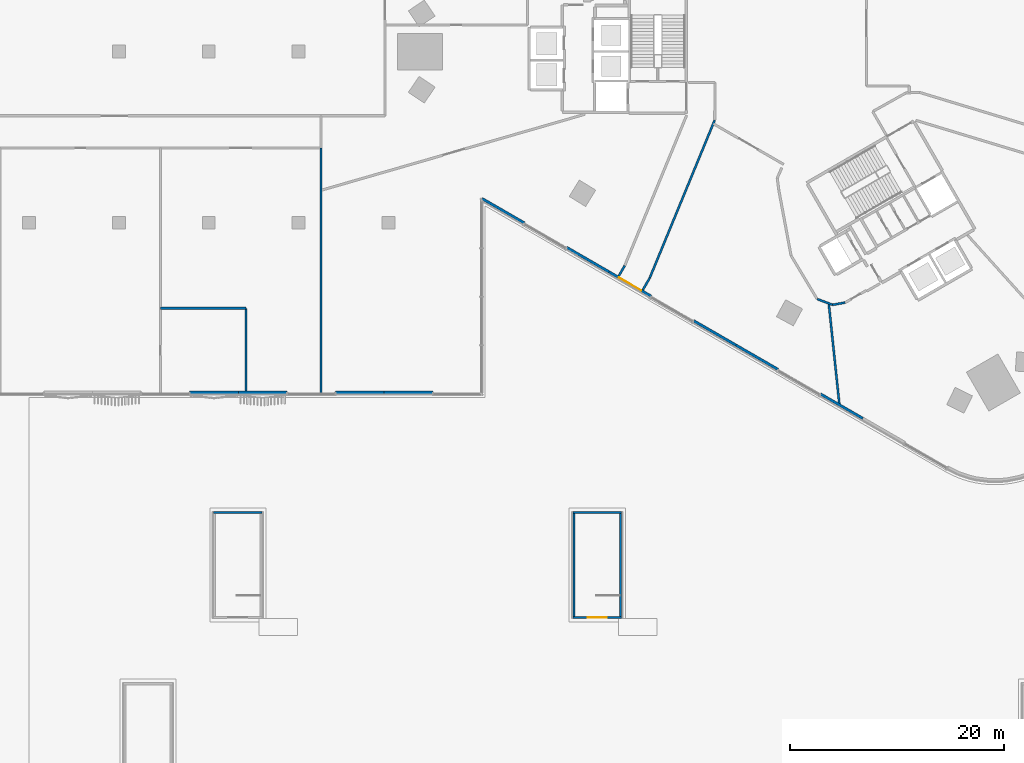
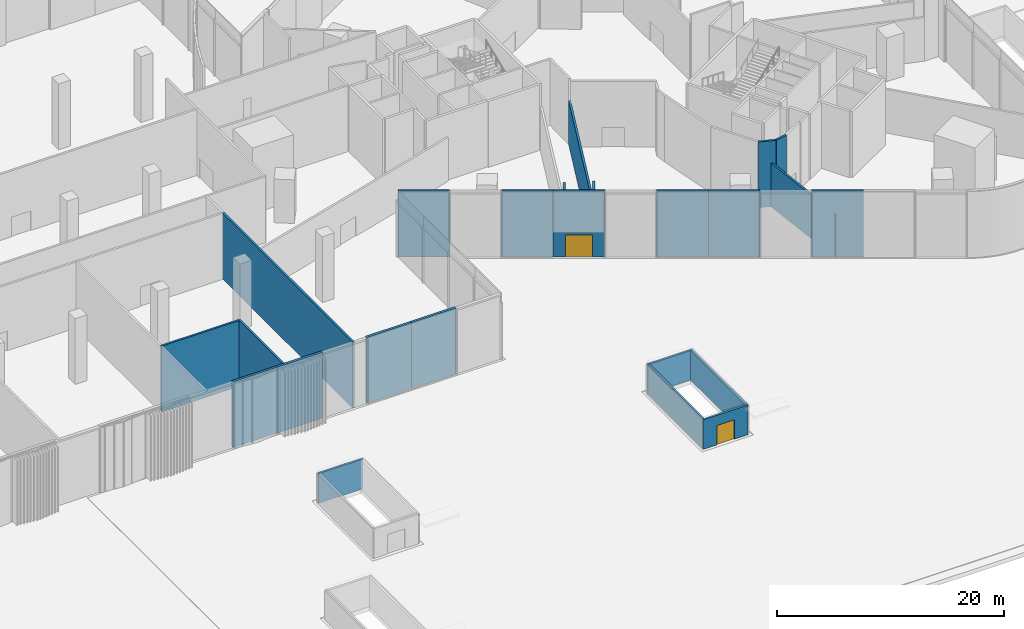
# One storey, part 14 of 41: 24 walls, 2 doors, 2 openings.
"""IFC4 building model written with IfcOpenShell, lengths in metres."""

from ifc_helpers import new_model, si_unit, direction, frame, frame_2d, origin, place, context, subcontext, project, spatial, rectangle, extrude, material, layer, layer_set, type_object, element, fill, save


model = new_model("IFC4")

# Units and contexts
model_context = context("Model", 3, precision=1e-05, world=origin(), true_north=direction((0.0, 1.0)))
body_context = subcontext(model_context, "Body", "Model", "MODEL_VIEW")
ifc_project = project(units=[si_unit("LENGTHUNIT", "METRE"), si_unit("AREAUNIT", "SQUARE_METRE"), si_unit("VOLUMEUNIT", "CUBIC_METRE"), si_unit("PLANEANGLEUNIT", "RADIAN"), si_unit("MASSUNIT", "GRAM", prefix="KILO")], contexts=[model_context])

# Site, building, storey
site_placement = place(None, origin())
site = spatial("IfcSite", under=ifc_project, at=site_placement, CompositionType="ELEMENT")
building_placement = place(site_placement, origin())
building = spatial("IfcBuilding", under=site, at=building_placement, Name="Tamra Quay Hotel Tower", CompositionType="ELEMENT")
storey_placement = place(building_placement, origin())
storey = spatial("IfcBuildingStorey", under=building, at=storey_placement, Name="L00", CompositionType="ELEMENT", Elevation=0.0)

# Walls
ifc_material_1 = material(Name="Concrete M70", Category="concrete")
ifc_layer_1 = layer(ifc_material_1, 0.199951171875)
ifc_layer_set_1 = layer_set([ifc_layer_1], Name="Concrete M70 stair enclosure wall 200")
wall_type_1 = type_object("IfcWallType", Name="Concrete M70 stair enclosure wall 200", PredefinedType="SOLIDWALL", material=ifc_layer_set_1)
wall_1_placement = place(storey_placement, frame((-55.050048828125, -43.10009765625, 0.0), z_axis=(0.0, 0.0, 1.0), x_axis=(1.0, 0.0, 0.0)))
element("IfcWall", 1, at=wall_1_placement, inside=storey, type_object=wall_type_1, Name="SEW", PredefinedType="SOLIDWALL", context=body_context, shape_type="SweptSolid", body=[
    extrude(rectangle(XDim=4.550048828125, YDim=0.199951171875, at=frame_2d((2.27490234375, 0.0))), origin(), (0.0, 0.0, 1.0), 3.199951171875),
])
for number, where, z_axis, x_axis, name in (
    (2, (-21.35009765625, -52.800048828125, 0.0), (0.0, 0.0, 1.0), (0.0, 1.0, 0.0), "SEW"),
    (3, (-17.0, -52.800048828125, 0.0), (0.0, 0.0, 1.0), (0.0, 1.0, 0.0), "SEW"),
):
    element("IfcWall", number, at=place(storey_placement, frame(where, z_axis=z_axis, x_axis=x_axis)), inside=storey, type_object=wall_type_1, Name=name, PredefinedType="SOLIDWALL", context=body_context, shape_type="SweptSolid", body=[
        extrude(rectangle(XDim=9.60009765625, YDim=0.199951171875, at=frame_2d((4.800048828125, 0.0))), origin(), (0.0, 0.0, 1.0), 3.199951171875),
    ])

# Wall, opening, door
wall_2_placement = place(storey_placement, frame((-16.89990234375, -52.89990234375, 0.0), z_axis=(0.0, 0.0, 1.0), x_axis=(-1.0, 0.0, 0.0)))
wall_2 = element("IfcWall", 4, at=wall_2_placement, inside=storey, type_object=wall_type_1, Name="SEW", PredefinedType="SOLIDWALL", context=body_context, shape_type="SweptSolid", body=[
    extrude(rectangle(XDim=4.550048828125, YDim=0.199951171875, at=frame_2d((2.27490234375, 0.0))), origin(), (0.0, 0.0, 1.0), 3.199951171875),
])
opening_1_placement = place(wall_2_placement, frame((1.375, 0.0, 0.0)))
opening_1 = element("IfcOpeningElement", 5, at=opening_1_placement, cuts=wall_2, Name="Opening SD2", PredefinedType="OPENING", context=body_context, shape_type="SweptSolid", body=[
    extrude(rectangle(XDim=1.800048828125, YDim=2.10009765625, at=frame_2d((0.89990234375, 1.050048828125))), frame((0.0, 0.10986328125, 0.0), z_axis=(0.0, -1.0, 0.0), x_axis=(1.0, 0.0, 0.0)), (0.0, 0.0, 1.0), 0.219970703125),
])
ifc_material_2 = material(Name="Stair discharge door 1800 x 2100")
door_type_1 = type_object("IfcDoorType", Name="Stair discharge door 1800 x 2100", OperationType="DOUBLE_DOOR_SINGLE_SWING", PredefinedType="DOOR", material=ifc_material_2)
door_1_placement = place(opening_1_placement, origin())
door_1 = element("IfcDoor", 6, at=door_1_placement, inside=storey, type_object=door_type_1, Name="SD2", OperationType="DOUBLE_DOOR_SINGLE_SWING", OverallHeight=2.10009765625, OverallWidth=1.800048828125, PredefinedType="DOOR", context=body_context, shape_type="SweptSolid", body=[
    extrude(rectangle(XDim=1.800048828125, YDim=2.10009765625, at=frame_2d((0.89990234375, 1.050048828125))), frame((0.0, 0.02490234375, 0.0), z_axis=(0.0, -1.0, 0.0), x_axis=(1.0, 0.0, 0.0)), (0.0, 0.0, 1.0), 0.050048828125),
])
fill(opening_1, door_1)

# Walls
wall_3_placement = place(storey_placement, frame((-21.449951171875, -43.10009765625, 0.0), z_axis=(0.0, 0.0, 1.0), x_axis=(1.0, 0.0, 0.0)))
element("IfcWall", 7, at=wall_3_placement, inside=storey, type_object=wall_type_1, Name="SEW", PredefinedType="SOLIDWALL", context=body_context, shape_type="SweptSolid", body=[
    extrude(rectangle(XDim=4.550048828125, YDim=0.199951171875, at=frame_2d((2.27490234375, 0.0))), origin(), (0.0, 0.0, 1.0), 3.199951171875),
])
ifc_material_3 = material(Name="Blockwork masonry plastered", Category="masonry")
ifc_layer_2 = layer(ifc_material_3, 0.25)
ifc_layer_set_2 = layer_set([ifc_layer_2], Name="EXTERNAL WALL 250")
wall_type_2 = type_object("IfcWallType", Name="EXTERNAL WALL 250", PredefinedType="SOLIDWALL", material=ifc_layer_set_2)
wall_4_placement = place(storey_placement, frame((-25.98291015625, -16.03125, 0.0), z_axis=(0.0, 0.0, 1.0), x_axis=(-0.866023543838, 0.500003221507, 0.0)))
element("IfcWall", 8, at=wall_4_placement, inside=storey, type_object=wall_type_2, Name="EW1", PredefinedType="SOLIDWALL", context=body_context, shape_type="SweptSolid", body=[
    extrude(rectangle(XDim=4.56640625, YDim=0.25, at=frame_2d((2.283203125, 0.0))), origin(), (0.0, 0.0, 1.0), 7.10009765625),
])
wall_5_placement = place(storey_placement, frame((-18.073974609375, -20.59765625, 0.0), z_axis=(0.0, 0.0, 1.0), x_axis=(-0.866010176527, 0.500026373457, 0.0)))
element("IfcWall", 9, at=wall_5_placement, inside=storey, type_object=wall_type_2, Name="EW1", PredefinedType="SOLIDWALL", context=body_context, shape_type="SweptSolid", body=[
    extrude(rectangle(XDim=4.566162109375, YDim=0.25, at=frame_2d((2.283203125, 0.0))), origin(), (0.0, 0.0, 1.0), 7.10009765625),
])

# Wall, opening, door
wall_6_placement = place(storey_placement, frame((-14.119384765625, -22.880859375, 0.0), z_axis=(0.0, 0.0, 1.0), x_axis=(-0.866023543838, 0.500003221507, 0.0)))
wall_6 = element("IfcWall", 10, at=wall_6_placement, inside=storey, type_object=wall_type_2, Name="EW1", PredefinedType="SOLIDWALL", context=body_context, shape_type="SweptSolid", body=[
    extrude(rectangle(XDim=4.56640625, YDim=0.25, at=frame_2d((2.283203125, 0.0))), origin(), (0.0, 0.0, 1.0), 7.10009765625),
])
opening_2_placement = place(wall_6_placement, frame((1.083251953125, 0.0, 0.0)))
opening_2 = element("IfcOpeningElement", 11, at=opening_2_placement, cuts=wall_6, Name="Opening XD1", PredefinedType="OPENING", context=body_context, shape_type="SweptSolid", body=[
    extrude(rectangle(XDim=2.39990234375, YDim=2.39990234375, at=frame_2d((1.199951171875, 1.199951171875))), frame((0.0, 0.135009765625, 0.0), z_axis=(0.0, -1.0, 0.0), x_axis=(1.0, 0.0, 0.0)), (0.0, 0.0, 1.0), 0.27001953125),
])
ifc_material_4 = material(Name="Aluminium door set dark grey", Category="aluminium")
door_type_2 = type_object("IfcDoorType", Name="STAIR DISCHARGE DOOR PAIR 2400X2400", OperationType="DOUBLE_DOOR_DOUBLE_SWING", PredefinedType="DOOR", material=ifc_material_4)
door_2_placement = place(opening_2_placement, origin())
door_2 = element("IfcDoor", 12, at=door_2_placement, inside=storey, type_object=door_type_2, Name="XD1", OperationType="DOUBLE_DOOR_DOUBLE_SWING", OverallHeight=2.39990234375, OverallWidth=2.39990234375, PredefinedType="DOOR", context=body_context, shape_type="SweptSolid", body=[
    extrude(rectangle(XDim=2.39990234375, YDim=2.39990234375, at=frame_2d((1.199951171875, 1.199951171875))), frame((0.0, 0.02490234375, 0.0), z_axis=(0.0, -1.0, 0.0), x_axis=(1.0, 0.0, 0.0)), (0.0, 0.0, 1.0), 0.050048828125),
])
fill(opening_2, door_2)

# Walls
wall_7_placement = place(storey_placement, frame((-6.210205078125, -27.447021484375, 0.0), z_axis=(0.0, 0.0, 1.0), x_axis=(-0.866046694585, 0.499963121439, 0.0)))
element("IfcWall", 13, at=wall_7_placement, inside=storey, type_object=wall_type_2, Name="EW1", PredefinedType="SOLIDWALL", context=body_context, shape_type="SweptSolid", body=[
    extrude(rectangle(XDim=4.566162109375, YDim=0.25, at=frame_2d((2.283203125, 0.0))), origin(), (0.0, 0.0, 1.0), 7.10009765625),
])
wall_8_placement = place(storey_placement, frame((-2.255615234375, -29.730224609375, 0.0), z_axis=(0.0, 0.0, 1.0), x_axis=(-0.866023543838, 0.500003221507, 0.0)))
element("IfcWall", 14, at=wall_8_placement, inside=storey, type_object=wall_type_2, Name="EW1", PredefinedType="SOLIDWALL", context=body_context, shape_type="SweptSolid", body=[
    extrude(rectangle(XDim=4.56640625, YDim=0.25, at=frame_2d((2.283203125, 0.0))), origin(), (0.0, 0.0, 1.0), 7.10009765625),
])
wall_9_placement = place(storey_placement, frame((5.6533203125, -34.296630859375, 0.0), z_axis=(0.0, 0.0, 1.0), x_axis=(-0.866010176527, 0.500026373457, 0.0)))
element("IfcWall", 15, at=wall_9_placement, inside=storey, type_object=wall_type_2, Name="EW1", PredefinedType="SOLIDWALL", context=body_context, shape_type="SweptSolid", body=[
    extrude(rectangle(XDim=4.566162109375, YDim=0.25, at=frame_2d((2.283203125, 0.0))), origin(), (0.0, 0.0, 1.0), 7.10009765625),
])
for number, where, z_axis, x_axis, name in (
    (16, (-52.730712890625, -31.875, 0.0), (0.0, 0.0, 1.0), (-1.0, 0.0, 0.0), "EW1"),
    (17, (-48.1845703125, -31.875, 0.0), (0.0, 0.0, 1.0), (-1.0, 0.0, 0.0), "EW1"),
    (18, (-39.09228515625, -31.875, 0.0), (0.0, 0.0, 1.0), (-1.0, 0.0, 0.0), "EW1"),
    (19, (-34.546142578125, -31.875, 0.0), (0.0, 0.0, 1.0), (-1.0, 0.0, 0.0), "EW1"),
):
    element("IfcWall", number, at=place(storey_placement, frame(where, z_axis=z_axis, x_axis=x_axis)), inside=storey, type_object=wall_type_2, Name=name, PredefinedType="SOLIDWALL", context=body_context, shape_type="SweptSolid", body=[
        extrude(rectangle(XDim=4.546142578125, YDim=0.25, at=frame_2d((2.27294921875, 0.0))), origin(), (0.0, 0.0, 1.0), 7.10009765625),
    ])
ifc_material_5 = material(Name="Partition atrium enclosure wall")
ifc_layer_3 = layer(ifc_material_5, 0.199951171875)
ifc_layer_set_3 = layer_set([ifc_layer_3], Name="Partition atrium enclosure wall")
wall_type_3 = type_object("IfcWallType", Name="Partition atrium enclosure wall", PredefinedType="PARTITIONING", material=ifc_layer_set_3)
wall_10_placement = place(storey_placement, frame((-17.159912109375, -20.98095703125, 0.0), z_axis=(0.0, 0.0, 1.0), x_axis=(0.500069753975, 0.865985127562, 0.0)))
element("IfcWall", 20, at=wall_10_placement, inside=storey, type_object=wall_type_3, Name="W-A", PredefinedType="PARTITIONING", context=body_context, shape_type="SweptSolid", body=[
    extrude(rectangle(XDim=1.115478515625, YDim=0.199951171875, at=frame_2d((0.5576171875, 0.0))), origin(), (0.0, 0.0, 1.0), 7.10009765625),
])
wall_11_placement = place(storey_placement, frame((-14.907958984375, -22.281005859375, 0.0), z_axis=(0.0, 0.0, 1.0), x_axis=(0.499223722114, 0.866473124384, 0.0)))
element("IfcWall", 21, at=wall_11_placement, inside=storey, type_object=wall_type_3, Name="W-A", PredefinedType="PARTITIONING", context=body_context, shape_type="SweptSolid", body=[
    extrude(rectangle(XDim=1.28564453125, YDim=0.199951171875, at=frame_2d((0.642822265625, 0.0))), origin(), (0.0, 0.0, 1.0), 7.10009765625),
])
wall_12_placement = place(storey_placement, frame((-14.26611328125, -21.1669921875, 0.0), z_axis=(0.0, 0.0, 1.0), x_axis=(0.380713644122, 0.924692987526, 0.0)))
element("IfcWall", 22, at=wall_12_placement, inside=storey, type_object=wall_type_3, Name="W-A", PredefinedType="PARTITIONING", context=body_context, shape_type="SweptSolid", body=[
    extrude(rectangle(XDim=15.9599609375, YDim=0.199951171875, at=frame_2d((7.97998046875, 0.0))), origin(), (0.0, 0.0, 1.0), 4.699951171875),
])
ifc_material_6 = material(Name="Partition party wall")
ifc_layer_4 = layer(ifc_material_6, 0.199951171875)
ifc_layer_set_4 = layer_set([ifc_layer_4], Name="Partition party wall")
wall_type_4 = type_object("IfcWallType", Name="Partition party wall", PredefinedType="PARTITIONING", material=ifc_layer_set_4)
wall_13_placement = place(storey_placement, frame((-59.998046875, -24.0, 0.0), z_axis=(0.0, 0.0, 1.0), x_axis=(1.0, 0.0, 0.0)))
element("IfcWall", 23, at=wall_13_placement, inside=storey, type_object=wall_type_4, Name="W-P", PredefinedType="PARTITIONING", context=body_context, shape_type="SweptSolid", body=[
    extrude(rectangle(XDim=7.998046875, YDim=0.199951171875, at=frame_2d((3.9990234375, 0.0))), origin(), (0.0, 0.0, 1.0), 7.10009765625),
])
wall_14_placement = place(storey_placement, frame((-52.0, -31.9951171875, 0.0), z_axis=(0.0, 0.0, 1.0), x_axis=(0.0, 1.0, 0.0)))
element("IfcWall", 24, at=wall_14_placement, inside=storey, type_object=wall_type_4, Name="W-P", PredefinedType="PARTITIONING", context=body_context, shape_type="SweptSolid", body=[
    extrude(rectangle(XDim=7.9951171875, YDim=0.199951171875, at=frame_2d((3.99755859375, 0.0))), origin(), (0.0, 0.0, 1.0), 7.10009765625),
])
wall_15_placement = place(storey_placement, frame((-45.0, -31.9951171875, 0.0), z_axis=(0.0, 0.0, 1.0), x_axis=(0.0, 1.0, 0.0)))
element("IfcWall", 25, at=wall_15_placement, inside=storey, type_object=wall_type_4, Name="W-P", PredefinedType="PARTITIONING", context=body_context, shape_type="SweptSolid", body=[
    extrude(rectangle(XDim=22.9931640625, YDim=0.199951171875, at=frame_2d((11.49658203125, 0.0))), origin(), (0.0, 0.0, 1.0), 7.10009765625),
])
wall_16_placement = place(storey_placement, frame((1.39111328125, -23.133056640625, 0.0), z_axis=(0.0, 0.0, 1.0), x_axis=(0.936212023637, -0.351435693688, 0.0)))
element("IfcWall", 26, at=wall_16_placement, inside=storey, type_object=wall_type_4, Name="W-P", PredefinedType="PARTITIONING", context=body_context, shape_type="SweptSolid", body=[
    extrude(rectangle(XDim=1.542236328125, YDim=0.199951171875, at=frame_2d((0.77099609375, 0.0))), origin(), (0.0, 0.0, 1.0), 7.10009765625),
])
wall_17_placement = place(storey_placement, frame((2.47412109375, -23.54296875, 0.0), z_axis=(0.0, 0.0, 1.0), x_axis=(0.10461532009, -0.994512762514, 0.0)))
element("IfcWall", 27, at=wall_17_placement, inside=storey, type_object=wall_type_4, Name="W-P", PredefinedType="PARTITIONING", context=body_context, shape_type="SweptSolid", body=[
    extrude(rectangle(XDim=9.696533203125, YDim=0.199951171875, at=frame_2d((4.84814453125, 0.0))), origin(), (0.0, 0.0, 1.0), 4.699951171875),
])
wall_18_placement = place(storey_placement, frame((2.837890625, -23.675048828125, 0.0), z_axis=(0.0, 0.0, 1.0), x_axis=(0.983748481543, 0.179552012136, 0.0)))
element("IfcWall", 28, at=wall_18_placement, inside=storey, type_object=wall_type_4, Name="W-P", PredefinedType="PARTITIONING", context=body_context, shape_type="SweptSolid", body=[
    extrude(rectangle(XDim=1.1923828125, YDim=0.199951171875, at=frame_2d((0.59619140625, 0.0))), origin(), (0.0, 0.0, 1.0), 7.10009765625),
])

save(model, "model.ifc")
